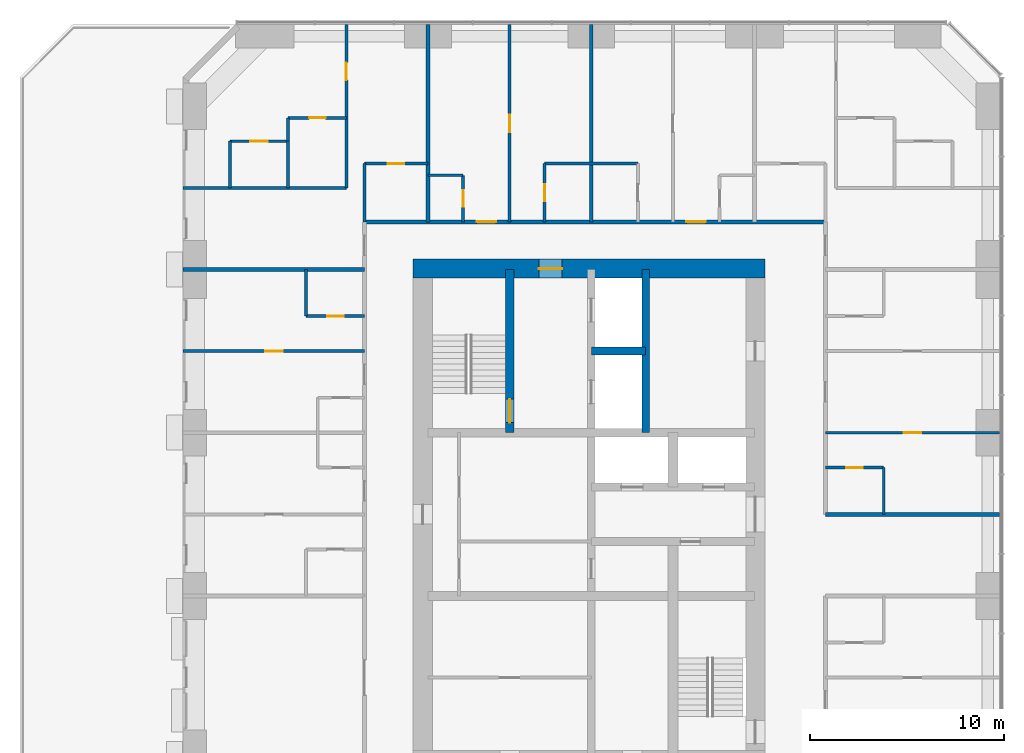
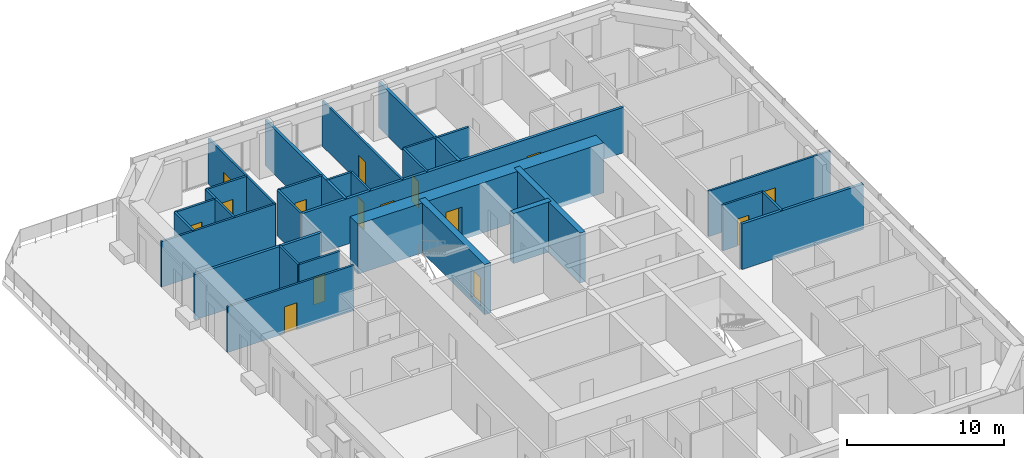
# One storey, part 10 of 13: 29 walls, 15 doors, 15 openings.
"""IFC4 building model written with IfcOpenShell, lengths in metres."""

import ifcopenshell
import ifcopenshell.guid

model = None  # the IFC model being written
_history = None  # IfcOwnerHistory: only IFC2X3 demands one
_inside = {}  # id of a spatial element -> (the spatial element, [elements in it])
_under = {}  # id of a project, library or spatial element -> (it, [spatial elements below it])
_declared = {}  # id of a project -> (the project, [libraries it declares])
_typed = {}  # id of a type object -> (the type object, [elements of that type])
_made_of = {}  # id of a material, layer set ... -> (it, [elements and type objects made of it])


def new_model(schema):
    """Start an empty IFC model of exactly this schema.

    Asked for "IFC4X3", IfcOpenShell would pick the latest addendum, in which some entities
    have other attributes; the version numbers below select the first issue.
    IFC2X3 requires an IfcOwnerHistory on every rooted entity: one is made here for all.
    """
    global model, _history
    if schema == "IFC4X3":
        model = ifcopenshell.file(schema_version=(4, 3, 0, 0))
    else:
        model = ifcopenshell.file(schema=schema)
    _inside.clear()
    _under.clear()
    _declared.clear()
    _typed.clear()
    _made_of.clear()
    _history = None
    if model.schema == "IFC2X3":
        org = make("IfcOrganization", Name="unknown")
        user = make(
            "IfcPersonAndOrganization",
            ThePerson=make("IfcPerson", FamilyName="unknown"),
            TheOrganization=org,
        )
        app = make(
            "IfcApplication",
            ApplicationDeveloper=org,
            Version="unknown",
            ApplicationFullName="unknown",
            ApplicationIdentifier="unknown",
        )
        _history = make(
            "IfcOwnerHistory",
            OwningUser=user,
            OwningApplication=app,
            ChangeAction="ADDED",
            CreationDate=0,
        )
    return model


def make(cls, **values):
    """One entity of the class cls with the attributes given. An attribute that is None is left unset."""
    return model.create_entity(
        cls, **{name: value for name, value in values.items() if value is not None}
    )


def rooted(cls, **values):
    """An entity with a GlobalId (a new one), such as an element, a storey or a relation."""
    return make(cls, GlobalId=ifcopenshell.guid.new(), OwnerHistory=_history, **values)


def si_unit(unit_type, name, prefix=None):
    """IfcSIUnit, for example si_unit("LENGTHUNIT", "METRE", prefix="MILLI")."""
    return make("IfcSIUnit", UnitType=unit_type, Prefix=prefix, Name=name)


def assignment(units):
    """IfcUnitAssignment: the units of a project."""
    return None if units is None else make("IfcUnitAssignment", Units=units)


def point(xyz):
    """IfcCartesianPoint."""
    return None if xyz is None else make("IfcCartesianPoint", Coordinates=xyz)


def direction(xyz):
    """IfcDirection."""
    return None if xyz is None else make("IfcDirection", DirectionRatios=xyz)


def frame(location, z_axis=None, x_axis=None):
    """IfcAxis2Placement3D, a coordinate frame: its origin and axes. An axis left out is left unset."""
    return make(
        "IfcAxis2Placement3D",
        Location=point(location),
        Axis=direction(z_axis),
        RefDirection=direction(x_axis),
    )


def frame_2d(location, x_axis=None):
    """IfcAxis2Placement2D, a coordinate frame in the plane: its origin and x axis."""
    return make(
        "IfcAxis2Placement2D", Location=point(location), RefDirection=direction(x_axis)
    )


def origin():
    """The frame at (0, 0, 0) with its axes left unset."""
    return frame((0.0, 0.0, 0.0))


def place(relative_to, where):
    """IfcLocalPlacement: puts the frame where relative to a parent placement (None: the world)."""
    return make(
        "IfcLocalPlacement", PlacementRelTo=relative_to, RelativePlacement=where
    )


def context(
    kind, dimensions, precision=None, world=None, true_north=None, identifier=None
):
    """IfcGeometricRepresentationContext, for example the 3D "Model" context."""
    return make(
        "IfcGeometricRepresentationContext",
        ContextIdentifier=identifier,
        ContextType=kind,
        CoordinateSpaceDimension=dimensions,
        Precision=precision,
        WorldCoordinateSystem=world,
        TrueNorth=true_north,
    )


def subcontext(parent, identifier, kind, view, scale=None):
    """IfcGeometricRepresentationSubContext, for example "Body" below "Model"."""
    return make(
        "IfcGeometricRepresentationSubContext",
        ContextIdentifier=identifier,
        ContextType=kind,
        ParentContext=parent,
        TargetScale=scale,
        TargetView=view,
    )


def project(units=None, contexts=None):
    """IfcProject with its units and contexts."""
    return rooted(
        "IfcProject",
        Name="project",
        RepresentationContexts=contexts,
        UnitsInContext=assignment(units),
    )


def spatial(cls, under=None, at=None, **own):
    """A site, building, storey or space (cls), placed at a placement, below another one or the project."""
    s = rooted(cls, ObjectPlacement=at, **own)
    if under is not None:
        _under.setdefault(under.id(), (under, []))[1].append(s)
    return s


def profile(cls, at=None, kind="AREA", **sizes):
    """A parametric profile (cls). Its sizes go by their IFC names, for example OverallWidth=200.0."""
    return make(cls, ProfileType=kind, Position=at, **sizes)


def rectangle(**sizes):
    """IfcRectangleProfileDef."""
    return profile("IfcRectangleProfileDef", **sizes)


def extrude(swept, where, along, depth):
    """IfcExtrudedAreaSolid: the profile swept, set in the frame where, extruded along a direction by depth."""
    return make(
        "IfcExtrudedAreaSolid",
        SweptArea=swept,
        Position=where,
        ExtrudedDirection=direction(along),
        Depth=depth,
    )


def shape(context_of_items, identifier, shape_type, items):
    """IfcShapeRepresentation: the items that make up one representation, for example the "Body"."""
    return make(
        "IfcShapeRepresentation",
        ContextOfItems=context_of_items,
        RepresentationIdentifier=identifier,
        RepresentationType=shape_type,
        Items=items,
    )


def material(Name=None, Category=None):
    """IfcMaterial."""
    return make("IfcMaterial", Name=Name, Category=Category)


def layer(
    of_material, thickness, ventilated=None, Name=None, Category=None, Priority=None
):
    """IfcMaterialLayer: one layer of a wall or slab, of a material (None: an air gap)."""
    return make(
        "IfcMaterialLayer",
        Material=of_material,
        LayerThickness=thickness,
        IsVentilated=ventilated,
        Name=Name,
        Category=Category,
        Priority=Priority,
    )


def layer_set(layers, Name=None):
    """IfcMaterialLayerSet."""
    return make("IfcMaterialLayerSet", MaterialLayers=layers, LayerSetName=Name)


def made_of(thing, what):
    """Note that an element or type object is made of a material, layer set ...; save() writes the relation."""
    if what is not None:
        _made_of.setdefault(what.id(), (what, []))[1].append(thing)
    return thing


def type_object(cls, material=None, **own):
    """A type object (cls), such as IfcWallType, which elements share."""
    return made_of(rooted(cls, **own), material)


def element(
    cls,
    number,
    at=None,
    inside=None,
    cuts=None,
    type_object=None,
    material=None,
    context=None,
    identifier="Body",
    shape_type=None,
    held_by="IfcProductDefinitionShape",
    body=None,
    shapes=None,
    **own,
):
    """One element of the class cls, such as IfcWall. Its Tag is "e" and its number.

    at: its placement. inside: the storey or other place that contains it. cuts: it is an
    opening in that element (IfcRelVoidsElement). A single representation is given by context,
    identifier, shape_type and body (its items); several are given by shapes. held_by: the class
    of the entity that holds the representations. save() writes the other relations.
    """
    e = rooted(cls, Tag="e%d" % number, ObjectPlacement=at, **own)
    if body is not None:
        shapes = [shape(context, identifier, shape_type, body)]
    if shapes is not None:
        e.Representation = make(held_by, Representations=shapes)
    if inside is not None:
        _inside.setdefault(inside.id(), (inside, []))[1].append(e)
    if cuts is not None:
        rooted(
            "IfcRelVoidsElement", RelatingBuildingElement=cuts, RelatedOpeningElement=e
        )
    if type_object is not None:
        _typed.setdefault(type_object.id(), (type_object, []))[1].append(e)
    return made_of(e, material)


def fill(opening, filler):
    """IfcRelFillsElement: the door or window that sits in an opening."""
    return rooted(
        "IfcRelFillsElement",
        RelatingOpeningElement=opening,
        RelatedBuildingElement=filler,
    )


def aggregate(whole, parts):
    """IfcRelAggregates: a whole, such as a stair, and the parts it consists of."""
    return rooted("IfcRelAggregates", RelatingObject=whole, RelatedObjects=parts)


def save(model, path):
    """Write the relations noted so far, then the file.

    IfcRelAggregates (storeys below a building ...), IfcRelContainedInSpatialStructure (elements
    in a storey), IfcRelDefinesByType, IfcRelAssociatesMaterial and IfcRelDeclares: one each for
    every whole, place, type object, material and project.
    """
    for whole, parts in _under.values():
        aggregate(whole, parts)
    for where, things in _inside.values():
        rooted(
            "IfcRelContainedInSpatialStructure",
            RelatedElements=things,
            RelatingStructure=where,
        )
    for kind, things in _typed.values():
        rooted("IfcRelDefinesByType", RelatedObjects=things, RelatingType=kind)
    for what, things in _made_of.values():
        rooted("IfcRelAssociatesMaterial", RelatedObjects=things, RelatingMaterial=what)
    for by, libraries in _declared.values():
        rooted("IfcRelDeclares", RelatingContext=by, RelatedDefinitions=libraries)
    model.write(path)


model = new_model("IFC4")

# Units and contexts
model_context = context("Model", 3, precision=1e-05, world=origin(), true_north=direction((0.0, 1.0)))
body_context = subcontext(model_context, "Body", "Model", "MODEL_VIEW")
ifc_project = project(units=[si_unit("LENGTHUNIT", "METRE"), si_unit("AREAUNIT", "SQUARE_METRE"), si_unit("VOLUMEUNIT", "CUBIC_METRE"), si_unit("PLANEANGLEUNIT", "RADIAN"), si_unit("MASSUNIT", "GRAM", prefix="KILO")], contexts=[model_context])

# Site, building, storey
site_placement = place(None, origin())
site = spatial("IfcSite", under=ifc_project, at=site_placement, CompositionType="ELEMENT")
building_placement = place(site_placement, origin())
building = spatial("IfcBuilding", under=site, at=building_placement, Name="Dunama Terrace Hotel", CompositionType="ELEMENT")
storey_placement = place(building_placement, frame((0.0, 0.0, 225.60009765625)))
storey = spatial("IfcBuildingStorey", under=building, at=storey_placement, Name="L58", CompositionType="ELEMENT", Elevation=225.60009765625)

# Walls
ifc_material_1 = material(Name="Gypsum board partition", Category="masonry")
ifc_layer_1 = layer(ifc_material_1, 0.14990234375)
ifc_layer_set_1 = layer_set([ifc_layer_1], Name="Bathroom partition 150")
wall_type_1 = type_object("IfcWallType", Name="Bathroom partition 150", PredefinedType="PARTITIONING", material=ifc_layer_set_1)
wall_1_placement = place(storey_placement, frame((18.0, 48.60009765625, 0.0), z_axis=(0.0, 0.0, 1.0), x_axis=(0.0, 1.0, 0.0)))
element("IfcWall", 1, at=wall_1_placement, inside=storey, type_object=wall_type_1, Name="Bathroom partition 150 L58", PredefinedType="PARTITIONING", context=body_context, shape_type="SweptSolid", body=[
    extrude(rectangle(XDim=1.199951171875, YDim=0.14990234375, at=frame_2d((0.60009765625, 0.0))), origin(), (0.0, 0.0, 1.0), 3.5498046875),
])
wall_2_placement = place(storey_placement, frame((18.925048828125, 39.60009765625, 0.0), z_axis=(0.0, 0.0, 1.0), x_axis=(0.0, 1.0, 0.0)))
element("IfcWall", 2, at=wall_2_placement, inside=storey, type_object=wall_type_1, Name="Bathroom partition 150 L58", PredefinedType="PARTITIONING", context=body_context, shape_type="SweptSolid", body=[
    extrude(rectangle(XDim=2.39990234375, YDim=0.14990234375, at=frame_2d((1.199951171875, 0.0))), origin(), (0.0, 0.0, 1.0), 3.5498046875),
])
wall_3_placement = place(storey_placement, frame((21.925048828125, 44.449951171875, 0.0), z_axis=(0.0, 0.0, 1.0), x_axis=(0.0, 1.0, 0.0)))
element("IfcWall", 3, at=wall_3_placement, inside=storey, type_object=wall_type_1, Name="Bathroom partition 150 L58", PredefinedType="PARTITIONING", context=body_context, shape_type="SweptSolid", body=[
    extrude(rectangle(XDim=3.0, YDim=0.14990234375, at=frame_2d((1.5, 0.0))), origin(), (0.0, 0.0, 1.0), 3.5498046875),
])

# Wall, opening, door
wall_4_placement = place(storey_placement, frame((27.0, 44.449951171875, 0.0), z_axis=(0.0, 0.0, 1.0), x_axis=(0.0, 1.0, 0.0)))
wall_4 = element("IfcWall", 4, at=wall_4_placement, inside=storey, type_object=wall_type_1, Name="Bathroom partition 150 L58", PredefinedType="PARTITIONING", context=body_context, shape_type="SweptSolid", body=[
    extrude(rectangle(XDim=2.400146484375, YDim=0.14990234375, at=frame_2d((1.2001953125, 0.0))), origin(), (0.0, 0.0, 1.0), 3.5498046875),
])
opening_1_placement = place(wall_4_placement, frame((0.77490234375, 0.0, 0.0)))
opening_1 = element("IfcOpeningElement", 5, at=opening_1_placement, cuts=wall_4, Name="Opening L58-034", PredefinedType="OPENING", context=body_context, shape_type="SweptSolid", body=[
    extrude(rectangle(XDim=0.85009765625, YDim=2.10009765625, at=frame_2d((0.425048828125, 1.050048828125))), frame((0.0, 0.0849609375, 0.0), z_axis=(0.0, -1.0, 0.0), x_axis=(1.0, 0.0, 0.0)), (0.0, 0.0, 1.0), 0.169921875),
])
ifc_material_2 = material(Name="Timber door with steel frame", Category="steel")
door_type_1 = type_object("IfcDoorType", Name="Bathroom door 850", OperationType="SINGLE_SWING_LEFT", PredefinedType="DOOR", material=ifc_material_2)
door_1_placement = place(opening_1_placement, origin())
door_1 = element("IfcDoor", 6, at=door_1_placement, inside=storey, type_object=door_type_1, Name="Door to powder room L58-034, type D2", OperationType="SINGLE_SWING_LEFT", OverallHeight=2.10009765625, OverallWidth=0.85009765625, PredefinedType="DOOR", context=body_context, shape_type="SweptSolid", body=[
    extrude(rectangle(XDim=0.85009765625, YDim=2.10009765625, at=frame_2d((0.425048828125, 1.050048828125))), frame((0.0, 0.02490234375, 0.0), z_axis=(0.0, -1.0, 0.0), x_axis=(1.0, 0.0, 0.0)), (0.0, 0.0, 1.0), 0.050048828125),
])
fill(opening_1, door_1)

wall_5_placement = place(storey_placement, frame((31.199951171875, 44.449951171875, 0.0), z_axis=(0.0, 0.0, 1.0), x_axis=(0.0, 1.0, 0.0)))
wall_5 = element("IfcWall", 7, at=wall_5_placement, inside=storey, type_object=wall_type_1, Name="Bathroom partition 150 L58", PredefinedType="PARTITIONING", context=body_context, shape_type="SweptSolid", body=[
    extrude(rectangle(XDim=3.0, YDim=0.14990234375, at=frame_2d((1.5, 0.0))), origin(), (0.0, 0.0, 1.0), 3.5498046875),
])
opening_2_placement = place(wall_5_placement, frame((1.074951171875, 0.0, 0.0)))
opening_2 = element("IfcOpeningElement", 8, at=opening_2_placement, cuts=wall_5, Name="Opening L58-036", PredefinedType="OPENING", context=body_context, shape_type="SweptSolid", body=[
    extrude(rectangle(XDim=0.85009765625, YDim=2.10009765625, at=frame_2d((0.425048828125, 1.050048828125))), frame((0.0, 0.0849609375, 0.0), z_axis=(0.0, -1.0, 0.0), x_axis=(1.0, 0.0, 0.0)), (0.0, 0.0, 1.0), 0.169921875),
])
door_2_placement = place(opening_2_placement, frame((0.85009765625, 0.0, 0.0), z_axis=(0.0, 0.0, 1.0), x_axis=(-1.0, 0.0, 0.0)))
door_2 = element("IfcDoor", 9, at=door_2_placement, inside=storey, type_object=door_type_1, Name="Door to en-suite bathroom L58-036, type D2", OperationType="SINGLE_SWING_RIGHT", OverallHeight=2.10009765625, OverallWidth=0.85009765625, PredefinedType="DOOR", context=body_context, shape_type="SweptSolid", body=[
    extrude(rectangle(XDim=0.85009765625, YDim=2.10009765625, at=frame_2d((0.425048828125, 1.050048828125))), frame((0.0, 0.025146484375, 0.0), z_axis=(0.0, -1.0, 0.0), x_axis=(1.0, 0.0, 0.0)), (0.0, 0.0, 1.0), 0.050048828125),
])
fill(opening_2, door_2)

# Wall
wall_6_placement = place(storey_placement, frame((48.64990234375, 29.39990234375, 0.0), z_axis=(0.0, 0.0, 1.0), x_axis=(0.0, 1.0, 0.0)))
element("IfcWall", 10, at=wall_6_placement, inside=storey, type_object=wall_type_1, Name="Bathroom partition 150 L58", PredefinedType="PARTITIONING", context=body_context, shape_type="SweptSolid", body=[
    extrude(rectangle(XDim=2.400146484375, YDim=0.14990234375, at=frame_2d((1.2001953125, 0.0))), origin(), (0.0, 0.0, 1.0), 3.5498046875),
])

# Wall, opening, door
wall_7_placement = place(storey_placement, frame((45.64990234375, 31.800048828125, 0.0), z_axis=(0.0, 0.0, 1.0), x_axis=(1.0, 0.0, 0.0)))
wall_7 = element("IfcWall", 11, at=wall_7_placement, inside=storey, type_object=wall_type_1, Name="Bathroom partition 150 L58", PredefinedType="PARTITIONING", context=body_context, shape_type="SweptSolid", body=[
    extrude(rectangle(XDim=3.0, YDim=0.14990234375, at=frame_2d((1.5, 0.0))), origin(), (0.0, 0.0, 1.0), 3.5498046875),
])
opening_3_placement = place(wall_7_placement, frame((1.074951171875, 0.0, 0.0)))
opening_3 = element("IfcOpeningElement", 12, at=opening_3_placement, cuts=wall_7, Name="Opening L58-030", PredefinedType="OPENING", context=body_context, shape_type="SweptSolid", body=[
    extrude(rectangle(XDim=0.85009765625, YDim=2.10009765625, at=frame_2d((0.425048828125, 1.050048828125))), frame((0.0, 0.0849609375, 0.0), z_axis=(0.0, -1.0, 0.0), x_axis=(1.0, 0.0, 0.0)), (0.0, 0.0, 1.0), 0.169921875),
])
door_3_placement = place(opening_3_placement, frame((0.85009765625, 0.0, 0.0), z_axis=(0.0, 0.0, 1.0), x_axis=(-1.0, 0.0, 0.0)))
door_3 = element("IfcDoor", 13, at=door_3_placement, inside=storey, type_object=door_type_1, Name="Door to en-suite bathroom L58-030, type D2", OperationType="SINGLE_SWING_RIGHT", OverallHeight=2.10009765625, OverallWidth=0.85009765625, PredefinedType="DOOR", context=body_context, shape_type="SweptSolid", body=[
    extrude(rectangle(XDim=0.85009765625, YDim=2.10009765625, at=frame_2d((0.425048828125, 1.050048828125))), frame((0.0, 0.025146484375, 0.0), z_axis=(0.0, -1.0, 0.0), x_axis=(1.0, 0.0, 0.0)), (0.0, 0.0, 1.0), 0.050048828125),
])
fill(opening_3, door_3)

wall_8_placement = place(storey_placement, frame((18.925048828125, 39.60009765625, 0.0), z_axis=(0.0, 0.0, 1.0), x_axis=(1.0, 0.0, 0.0)))
wall_8 = element("IfcWall", 14, at=wall_8_placement, inside=storey, type_object=wall_type_1, Name="Bathroom partition 150 L58", PredefinedType="PARTITIONING", context=body_context, shape_type="SweptSolid", body=[
    extrude(rectangle(XDim=3.0, YDim=0.14990234375, at=frame_2d((1.5, 0.0))), origin(), (0.0, 0.0, 1.0), 3.5498046875),
])
opening_4_placement = place(wall_8_placement, frame((1.074951171875, 0.0, 0.0)))
opening_4 = element("IfcOpeningElement", 15, at=opening_4_placement, cuts=wall_8, Name="Opening L58-049", PredefinedType="OPENING", context=body_context, shape_type="SweptSolid", body=[
    extrude(rectangle(XDim=0.85009765625, YDim=2.10009765625, at=frame_2d((0.425048828125, 1.050048828125))), frame((0.0, 0.0849609375, 0.0), z_axis=(0.0, -1.0, 0.0), x_axis=(1.0, 0.0, 0.0)), (0.0, 0.0, 1.0), 0.169921875),
])
door_4_placement = place(opening_4_placement, origin())
door_4 = element("IfcDoor", 16, at=door_4_placement, inside=storey, type_object=door_type_1, Name="Door to en-suite bathroom L58-049, type D2", OperationType="SINGLE_SWING_RIGHT", OverallHeight=2.10009765625, OverallWidth=0.85009765625, PredefinedType="DOOR", context=body_context, shape_type="SweptSolid", body=[
    extrude(rectangle(XDim=0.85009765625, YDim=2.10009765625, at=frame_2d((0.425048828125, 1.050048828125))), frame((0.0, 0.02490234375, 0.0), z_axis=(0.0, -1.0, 0.0), x_axis=(1.0, 0.0, 0.0)), (0.0, 0.0, 1.0), 0.050048828125),
])
fill(opening_4, door_4)

# Wall
wall_9_placement = place(storey_placement, frame((25.199951171875, 46.85009765625, 0.0), z_axis=(0.0, 0.0, 1.0), x_axis=(1.0, 0.0, 0.0)))
element("IfcWall", 17, at=wall_9_placement, inside=storey, type_object=wall_type_1, Name="Bathroom partition 150 L58", PredefinedType="PARTITIONING", context=body_context, shape_type="SweptSolid", body=[
    extrude(rectangle(XDim=1.800048828125, YDim=0.14990234375, at=frame_2d((0.89990234375, 0.0))), origin(), (0.0, 0.0, 1.0), 3.5498046875),
])

# Wall, opening, door
wall_10_placement = place(storey_placement, frame((21.925048828125, 47.449951171875, 0.0), z_axis=(0.0, 0.0, 1.0), x_axis=(1.0, 0.0, 0.0)))
wall_10 = element("IfcWall", 18, at=wall_10_placement, inside=storey, type_object=wall_type_1, Name="Bathroom partition 150 L58", PredefinedType="PARTITIONING", context=body_context, shape_type="SweptSolid", body=[
    extrude(rectangle(XDim=3.27490234375, YDim=0.14990234375, at=frame_2d((1.637451171875, 0.0))), origin(), (0.0, 0.0, 1.0), 3.5498046875),
])
opening_5_placement = place(wall_10_placement, frame((1.2119140625, 0.0, 0.0)))
opening_5 = element("IfcOpeningElement", 19, at=opening_5_placement, cuts=wall_10, Name="Opening L58-066", PredefinedType="OPENING", context=body_context, shape_type="SweptSolid", body=[
    extrude(rectangle(XDim=0.85009765625, YDim=2.10009765625, at=frame_2d((0.425048828125, 1.050048828125))), frame((0.0, 0.0849609375, 0.0), z_axis=(0.0, -1.0, 0.0), x_axis=(1.0, 0.0, 0.0)), (0.0, 0.0, 1.0), 0.169921875),
])
door_5_placement = place(opening_5_placement, frame((0.85009765625, 0.0, 0.0), z_axis=(0.0, 0.0, 1.0), x_axis=(-1.0, 0.0, 0.0)))
door_5 = element("IfcDoor", 20, at=door_5_placement, inside=storey, type_object=door_type_1, Name="Door to powder room L58-066, type D2", OperationType="SINGLE_SWING_LEFT", OverallHeight=2.10009765625, OverallWidth=0.85009765625, PredefinedType="DOOR", context=body_context, shape_type="SweptSolid", body=[
    extrude(rectangle(XDim=0.85009765625, YDim=2.10009765625, at=frame_2d((0.425048828125, 1.050048828125))), frame((0.0, 0.025146484375, 0.0), z_axis=(0.0, -1.0, 0.0), x_axis=(1.0, 0.0, 0.0)), (0.0, 0.0, 1.0), 0.050048828125),
])
fill(opening_5, door_5)

# Wall
wall_11_placement = place(storey_placement, frame((31.199951171875, 47.449951171875, 0.0), z_axis=(0.0, 0.0, 1.0), x_axis=(1.0, 0.0, 0.0)))
element("IfcWall", 21, at=wall_11_placement, inside=storey, type_object=wall_type_1, Name="Bathroom partition 150 L58", PredefinedType="PARTITIONING", context=body_context, shape_type="SweptSolid", body=[
    extrude(rectangle(XDim=4.800048828125, YDim=0.14990234375, at=frame_2d((2.39990234375, 0.0))), origin(), (0.0, 0.0, 1.0), 3.5498046875),
])

# Wall, opening, door
wall_12_placement = place(storey_placement, frame((18.0, 49.800048828125, 0.0), z_axis=(0.0, 0.0, 1.0), x_axis=(1.0, 0.0, 0.0)))
wall_12 = element("IfcWall", 22, at=wall_12_placement, inside=storey, type_object=wall_type_1, Name="Bathroom partition 150 L58", PredefinedType="PARTITIONING", context=body_context, shape_type="SweptSolid", body=[
    extrude(rectangle(XDim=3.0, YDim=0.14990234375, at=frame_2d((1.5, 0.0))), origin(), (0.0, 0.0, 1.0), 3.5498046875),
])
opening_6_placement = place(wall_12_placement, frame((1.074951171875, 0.0, 0.0)))
opening_6 = element("IfcOpeningElement", 23, at=opening_6_placement, cuts=wall_12, Name="Opening L58-068", PredefinedType="OPENING", context=body_context, shape_type="SweptSolid", body=[
    extrude(rectangle(XDim=0.85009765625, YDim=2.10009765625, at=frame_2d((0.425048828125, 1.050048828125))), frame((0.0, 0.0849609375, 0.0), z_axis=(0.0, -1.0, 0.0), x_axis=(1.0, 0.0, 0.0)), (0.0, 0.0, 1.0), 0.169921875),
])
door_6_placement = place(opening_6_placement, frame((0.85009765625, 0.0, 0.0), z_axis=(0.0, 0.0, 1.0), x_axis=(-1.0, 0.0, 0.0)))
door_6 = element("IfcDoor", 24, at=door_6_placement, inside=storey, type_object=door_type_1, Name="Door to en-suite bathroom L58-068, type D2", OperationType="SINGLE_SWING_RIGHT", OverallHeight=2.10009765625, OverallWidth=0.85009765625, PredefinedType="DOOR", context=body_context, shape_type="SweptSolid", body=[
    extrude(rectangle(XDim=0.85009765625, YDim=2.10009765625, at=frame_2d((0.425048828125, 1.050048828125))), frame((0.0, 0.025146484375, 0.0), z_axis=(0.0, -1.0, 0.0), x_axis=(1.0, 0.0, 0.0)), (0.0, 0.0, 1.0), 0.050048828125),
])
fill(opening_6, door_6)

# Walls
ifc_material_3 = material(Name="Concrete C50/60", Category="concrete")
ifc_layer_2 = layer(ifc_material_3, 0.39990234375)
ifc_layer_set_2 = layer_set([ifc_layer_2], Name="Core inner wall 400")
wall_type_2 = type_object("IfcWallType", Name="Core inner wall 400", PredefinedType="SHEAR", material=ifc_layer_set_2)
wall_13_placement = place(storey_placement, frame((36.39990234375, 33.60009765625, -0.35009765625), z_axis=(0.0, 0.0, 1.0), x_axis=(0.0, 1.0, 0.0)))
element("IfcWall", 25, at=wall_13_placement, inside=storey, type_object=wall_type_2, Name="Core inner wall 400 L58", PredefinedType="SHEAR", context=body_context, shape_type="SweptSolid", body=[
    extrude(rectangle(XDim=8.39990234375, YDim=0.39990234375, at=frame_2d((4.199951171875, 0.0))), origin(), (0.0, 0.0, 1.0), 3.89990234375),
])
wall_14_placement = place(storey_placement, frame((33.60009765625, 37.800048828125, -0.35009765625), z_axis=(0.0, 0.0, 1.0), x_axis=(1.0, 0.0, 0.0)))
element("IfcWall", 26, at=wall_14_placement, inside=storey, type_object=wall_type_2, Name="Core inner wall 400 L58", PredefinedType="SHEAR", context=body_context, shape_type="SweptSolid", body=[
    extrude(rectangle(XDim=2.7998046875, YDim=0.39990234375, at=frame_2d((1.39990234375, 0.0))), origin(), (0.0, 0.0, 1.0), 3.89990234375),
])

# Wall, opening, door
ifc_material_4 = material(Name="Concrete C50/60", Category="concrete")
ifc_layer_3 = layer(ifc_material_4, 0.449951171875)
ifc_layer_set_3 = layer_set([ifc_layer_3], Name="Core inner wall 450")
wall_type_3 = type_object("IfcWallType", Name="Core inner wall 450", PredefinedType="SHEAR", material=ifc_layer_set_3)
wall_15_placement = place(storey_placement, frame((29.39990234375, 33.60009765625, -0.35009765625), z_axis=(0.0, 0.0, 1.0), x_axis=(0.0, 1.0, 0.0)))
wall_15 = element("IfcWall", 27, at=wall_15_placement, inside=storey, type_object=wall_type_3, Name="Core inner wall 450 L58", PredefinedType="SHEAR", context=body_context, shape_type="SweptSolid", body=[
    extrude(rectangle(XDim=8.39990234375, YDim=0.449951171875, at=frame_2d((4.199951171875, 0.0))), origin(), (0.0, 0.0, 1.0), 3.89990234375),
])
opening_7_placement = place(wall_15_placement, frame((0.52490234375, 0.0, 0.35009765625)))
opening_7 = element("IfcOpeningElement", 28, at=opening_7_placement, cuts=wall_15, Name="Opening L58-010", PredefinedType="OPENING", context=body_context, shape_type="SweptSolid", body=[
    extrude(rectangle(XDim=1.199951171875, YDim=2.199951171875, at=frame_2d((0.60009765625, 1.10009765625))), frame((0.0, 0.23486328125, 0.0), z_axis=(0.0, -1.0, 0.0), x_axis=(1.0, 0.0, 0.0)), (0.0, 0.0, 1.0), 0.469970703125),
])
ifc_material_5 = material(Name="Timber door with steel frame", Category="steel")
door_type_2 = type_object("IfcDoorType", Name="Stair door 1200", OperationType="SINGLE_SWING_LEFT", PredefinedType="DOOR", material=ifc_material_5)
door_7_placement = place(opening_7_placement, origin())
door_7 = element("IfcDoor", 29, at=door_7_placement, inside=storey, type_object=door_type_2, Name="Stair door ST1 L58-010, type D5", OperationType="SINGLE_SWING_LEFT", OverallHeight=2.199951171875, OverallWidth=1.199951171875, PredefinedType="DOOR", context=body_context, shape_type="SweptSolid", body=[
    extrude(rectangle(XDim=1.199951171875, YDim=2.199951171875, at=frame_2d((0.60009765625, 1.10009765625))), frame((0.0, 0.02490234375, 0.0), z_axis=(0.0, -1.0, 0.0), x_axis=(1.0, 0.0, 0.0)), (0.0, 0.0, 1.0), 0.050048828125),
])
fill(opening_7, door_7)

ifc_material_6 = material(Name="Concrete C60/75", Category="concrete")
ifc_layer_4 = layer(ifc_material_6, 1.0)
ifc_layer_set_4 = layer_set([ifc_layer_4], Name="Core wall 1000")
wall_type_4 = type_object("IfcWallType", Name="Core wall 1000", PredefinedType="SHEAR", material=ifc_layer_set_4)
wall_16_placement = place(storey_placement, frame((42.550048828125, 42.050048828125, -0.35009765625), z_axis=(0.0, 0.0, 1.0), x_axis=(-1.0, 0.0, 0.0)))
wall_16 = element("IfcWall", 30, at=wall_16_placement, inside=storey, type_object=wall_type_4, Name="Core wall north L58", PredefinedType="SHEAR", context=body_context, shape_type="SweptSolid", body=[
    extrude(rectangle(XDim=18.125, YDim=1.0, at=frame_2d((9.0625, 0.0))), origin(), (0.0, 0.0, 1.0), 3.89990234375),
])
opening_8_placement = place(wall_16_placement, frame((10.449951171875, 0.0, 0.35009765625)))
opening_8 = element("IfcOpeningElement", 31, at=opening_8_placement, cuts=wall_16, Name="Opening L58-076", PredefinedType="OPENING", context=body_context, shape_type="SweptSolid", body=[
    extrude(rectangle(XDim=1.199951171875, YDim=2.199951171875, at=frame_2d((0.60009765625, 1.10009765625))), frame((0.0, 0.510009765625, 0.0), z_axis=(0.0, -1.0, 0.0), x_axis=(1.0, 0.0, 0.0)), (0.0, 0.0, 1.0), 1.02001953125),
])
ifc_material_7 = material(Name="Timber door with steel frame", Category="steel")
door_type_3 = type_object("IfcDoorType", Name="Firefighting lobby door 1200", OperationType="SINGLE_SWING_LEFT", PredefinedType="DOOR", material=ifc_material_7)
door_8_placement = place(opening_8_placement, origin())
door_8 = element("IfcDoor", 32, at=door_8_placement, inside=storey, type_object=door_type_3, Name="Door to firefighting lobby L58-076, type D4", OperationType="SINGLE_SWING_RIGHT", OverallHeight=2.199951171875, OverallWidth=1.199951171875, PredefinedType="DOOR", context=body_context, shape_type="SweptSolid", body=[
    extrude(rectangle(XDim=1.199951171875, YDim=2.199951171875, at=frame_2d((0.60009765625, 1.10009765625))), frame((0.0, 0.02490234375, 0.0), z_axis=(0.0, -1.0, 0.0), x_axis=(1.0, 0.0, 0.0)), (0.0, 0.0, 1.0), 0.050048828125),
])
fill(opening_8, door_8)

# Wall
ifc_material_8 = material(Name="Concrete blockwork", Category="masonry")
ifc_layer_5 = layer(ifc_material_8, 0.199951171875)
ifc_layer_set_5 = layer_set([ifc_layer_5], Name="Corridor partition 200")
wall_type_5 = type_object("IfcWallType", Name="Corridor partition 200", PredefinedType="PARTITIONING", material=ifc_layer_set_5)
wall_17_placement = place(storey_placement, frame((45.64990234375, 29.39990234375, 0.0), z_axis=(0.0, 0.0, 1.0), x_axis=(1.0, 0.0, 0.0)))
element("IfcWall", 33, at=wall_17_placement, inside=storey, type_object=wall_type_5, Name="Corridor partition 200 L58", PredefinedType="PARTITIONING", context=body_context, shape_type="SweptSolid", body=[
    extrude(rectangle(XDim=8.968017578125, YDim=0.199951171875, at=frame_2d((4.48388671875, 0.0))), origin(), (0.0, 0.0, 1.0), 3.5498046875),
])

# Wall, openings, doors
wall_18_placement = place(storey_placement, frame((21.925048828125, 44.449951171875, 0.0), z_axis=(0.0, 0.0, 1.0), x_axis=(1.0, 0.0, 0.0)))
wall_18 = element("IfcWall", 34, at=wall_18_placement, inside=storey, type_object=wall_type_5, Name="Corridor partition 200 L58", PredefinedType="PARTITIONING", context=body_context, shape_type="SweptSolid", body=[
    extrude(rectangle(XDim=23.724853515625, YDim=0.199951171875, at=frame_2d((11.8623046875, 0.0))), origin(), (0.0, 0.0, 1.0), 3.5498046875),
])
opening_9_placement = place(wall_18_placement, frame((5.77490234375, 0.0, 0.0)))
opening_9 = element("IfcOpeningElement", 35, at=opening_9_placement, cuts=wall_18, Name="Opening L58-033", PredefinedType="OPENING", context=body_context, shape_type="SweptSolid", body=[
    extrude(rectangle(XDim=1.0, YDim=2.199951171875, at=frame_2d((0.5, 1.10009765625))), frame((0.0, 0.10986328125, 0.0), z_axis=(0.0, -1.0, 0.0), x_axis=(1.0, 0.0, 0.0)), (0.0, 0.0, 1.0), 0.219970703125),
])
opening_10_placement = place(wall_18_placement, frame((16.574951171875, 0.0, 0.0)))
opening_10 = element("IfcOpeningElement", 36, at=opening_10_placement, cuts=wall_18, Name="Opening L58-037", PredefinedType="OPENING", context=body_context, shape_type="SweptSolid", body=[
    extrude(rectangle(XDim=1.0, YDim=2.199951171875, at=frame_2d((0.5, 1.10009765625))), frame((0.0, 0.10986328125, 0.0), z_axis=(0.0, -1.0, 0.0), x_axis=(1.0, 0.0, 0.0)), (0.0, 0.0, 1.0), 0.219970703125),
])
ifc_material_9 = material(Name="Timber door with steel frame", Category="steel")
door_type_4 = type_object("IfcDoorType", Name="Guest room door 1000", OperationType="SINGLE_SWING_LEFT", PredefinedType="DOOR", material=ifc_material_9)
door_9_placement = place(opening_9_placement, origin())
door_9 = element("IfcDoor", 37, at=door_9_placement, inside=storey, type_object=door_type_4, Name="Door to one-bedroom suite living room L58-033, type D1", OperationType="SINGLE_SWING_RIGHT", OverallHeight=2.199951171875, OverallWidth=1.0, PredefinedType="DOOR", context=body_context, shape_type="SweptSolid", body=[
    extrude(rectangle(XDim=1.0, YDim=2.199951171875, at=frame_2d((0.5, 1.10009765625))), frame((0.0, 0.02490234375, 0.0), z_axis=(0.0, -1.0, 0.0), x_axis=(1.0, 0.0, 0.0)), (0.0, 0.0, 1.0), 0.050048828125),
])
fill(opening_9, door_9)
door_10_placement = place(opening_10_placement, origin())
door_10 = element("IfcDoor", 38, at=door_10_placement, inside=storey, type_object=door_type_4, Name="Door to one-bedroom suite living room L58-037, type D1", OperationType="SINGLE_SWING_RIGHT", OverallHeight=2.199951171875, OverallWidth=1.0, PredefinedType="DOOR", context=body_context, shape_type="SweptSolid", body=[
    extrude(rectangle(XDim=1.0, YDim=2.199951171875, at=frame_2d((0.5, 1.10009765625))), frame((0.0, 0.02490234375, 0.0), z_axis=(0.0, -1.0, 0.0), x_axis=(1.0, 0.0, 0.0)), (0.0, 0.0, 1.0), 0.050048828125),
])
fill(opening_10, door_10)

# Walls
ifc_material_10 = material(Name="Concrete blockwork", Category="masonry")
ifc_layer_6 = layer(ifc_material_10, 0.199951171875)
ifc_layer_set_6 = layer_set([ifc_layer_6], Name="Party wall 200")
wall_type_6 = type_object("IfcWallType", Name="Party wall 200", PredefinedType="PARTITIONING", material=ifc_layer_set_6)
for number, where, z_axis, x_axis, name in (
    (39, (25.199951171875, 44.449951171875, 0.0), (0.0, 0.0, 1.0), (0.0, 1.0, 0.0), "Party wall 200 L58"),
    (40, (33.60009765625, 44.449951171875, 0.0), (0.0, 0.0, 1.0), (0.0, 1.0, 0.0), "Party wall 200 L58"),
):
    element("IfcWall", number, at=place(storey_placement, frame(where, z_axis=z_axis, x_axis=x_axis)), inside=storey, type_object=wall_type_6, Name=name, PredefinedType="PARTITIONING", context=body_context, shape_type="SweptSolid", body=[
        extrude(rectangle(XDim=10.16796875, YDim=0.199951171875, at=frame_2d((5.083984375, 0.0))), origin(), (0.0, 0.0, 1.0), 3.5498046875),
    ])
wall_19_placement = place(storey_placement, frame((12.60009765625, 42.0, 0.0), z_axis=(0.0, 0.0, 1.0), x_axis=(1.0, 0.0, 0.0)))
element("IfcWall", 41, at=wall_19_placement, inside=storey, type_object=wall_type_6, Name="Party wall 200 L58", PredefinedType="PARTITIONING", context=body_context, shape_type="SweptSolid", body=[
    extrude(rectangle(XDim=9.324951171875, YDim=0.199951171875, at=frame_2d((4.66259765625, 0.0))), origin(), (0.0, 0.0, 1.0), 3.5498046875),
])
ifc_material_11 = material(Name="Gypsum board partition", Category="masonry")
ifc_layer_7 = layer(ifc_material_11, 0.14990234375)
ifc_layer_set_7 = layer_set([ifc_layer_7], Name="Room partition 150")
wall_type_7 = type_object("IfcWallType", Name="Room partition 150", PredefinedType="PARTITIONING", material=ifc_layer_set_7)
for number, where, z_axis, x_axis, name in (
    (42, (15.0, 46.199951171875, 0.0), (0.0, 0.0, 1.0), (0.0, 1.0, 0.0), "Room partition 150 L58"),
    (43, (18.0, 46.199951171875, 0.0), (0.0, 0.0, 1.0), (0.0, 1.0, 0.0), "Room partition 150 L58"),
):
    element("IfcWall", number, at=place(storey_placement, frame(where, z_axis=z_axis, x_axis=x_axis)), inside=storey, type_object=wall_type_7, Name=name, PredefinedType="PARTITIONING", context=body_context, shape_type="SweptSolid", body=[
        extrude(rectangle(XDim=2.400146484375, YDim=0.14990234375, at=frame_2d((1.2001953125, 0.0))), origin(), (0.0, 0.0, 1.0), 3.5498046875),
    ])

# Wall, opening, door
wall_20_placement = place(storey_placement, frame((21.0, 46.199951171875, 0.0), z_axis=(0.0, 0.0, 1.0), x_axis=(0.0, 1.0, 0.0)))
wall_20 = element("IfcWall", 44, at=wall_20_placement, inside=storey, type_object=wall_type_7, Name="Room partition 150 L58", PredefinedType="PARTITIONING", context=body_context, shape_type="SweptSolid", body=[
    extrude(rectangle(XDim=8.41796875, YDim=0.14990234375, at=frame_2d((4.208984375, 0.0))), origin(), (0.0, 0.0, 1.0), 3.5498046875),
])
opening_11_placement = place(wall_20_placement, frame((5.550048828125, 0.0, 0.0)))
opening_11 = element("IfcOpeningElement", 45, at=opening_11_placement, cuts=wall_20, Name="Opening L58-067", PredefinedType="OPENING", context=body_context, shape_type="SweptSolid", body=[
    extrude(rectangle(XDim=0.89990234375, YDim=2.10009765625, at=frame_2d((0.449951171875, 1.050048828125))), frame((0.0, 0.0849609375, 0.0), z_axis=(0.0, -1.0, 0.0), x_axis=(1.0, 0.0, 0.0)), (0.0, 0.0, 1.0), 0.169921875),
])
ifc_material_12 = material(Name="Timber door with steel frame", Category="steel")
door_type_5 = type_object("IfcDoorType", Name="Suite internal door 900", OperationType="SINGLE_SWING_LEFT", PredefinedType="DOOR", material=ifc_material_12)
door_11_placement = place(opening_11_placement, origin())
door_11 = element("IfcDoor", 46, at=door_11_placement, inside=storey, type_object=door_type_5, Name="Door to grand corner suite bedroom L58-067, type D16", OperationType="SINGLE_SWING_RIGHT", OverallHeight=2.10009765625, OverallWidth=0.89990234375, PredefinedType="DOOR", context=body_context, shape_type="SweptSolid", body=[
    extrude(rectangle(XDim=0.89990234375, YDim=2.10009765625, at=frame_2d((0.449951171875, 1.050048828125))), frame((0.0, 0.02490234375, 0.0), z_axis=(0.0, -1.0, 0.0), x_axis=(1.0, 0.0, 0.0)), (0.0, 0.0, 1.0), 0.050048828125),
])
fill(opening_11, door_11)

wall_21_placement = place(storey_placement, frame((29.39990234375, 44.449951171875, 0.0), z_axis=(0.0, 0.0, 1.0), x_axis=(0.0, 1.0, 0.0)))
wall_21 = element("IfcWall", 47, at=wall_21_placement, inside=storey, type_object=wall_type_7, Name="Room partition 150 L58", PredefinedType="PARTITIONING", context=body_context, shape_type="SweptSolid", body=[
    extrude(rectangle(XDim=10.16796875, YDim=0.14990234375, at=frame_2d((5.083984375, 0.0))), origin(), (0.0, 0.0, 1.0), 3.5498046875),
])
opening_12_placement = place(wall_21_placement, frame((4.625, 0.0, 0.0)))
opening_12 = element("IfcOpeningElement", 48, at=opening_12_placement, cuts=wall_21, Name="Opening L58-035", PredefinedType="OPENING", context=body_context, shape_type="SweptSolid", body=[
    extrude(rectangle(XDim=0.89990234375, YDim=2.10009765625, at=frame_2d((0.449951171875, 1.050048828125))), frame((0.0, 0.0849609375, 0.0), z_axis=(0.0, -1.0, 0.0), x_axis=(1.0, 0.0, 0.0)), (0.0, 0.0, 1.0), 0.169921875),
])
door_12_placement = place(opening_12_placement, frame((0.89990234375, 0.0, 0.0), z_axis=(0.0, 0.0, 1.0), x_axis=(-1.0, 0.0, 0.0)))
door_12 = element("IfcDoor", 49, at=door_12_placement, inside=storey, type_object=door_type_5, Name="Door to one-bedroom suite bedroom L58-035, type D16", OperationType="SINGLE_SWING_RIGHT", OverallHeight=2.10009765625, OverallWidth=0.89990234375, PredefinedType="DOOR", context=body_context, shape_type="SweptSolid", body=[
    extrude(rectangle(XDim=0.89990234375, YDim=2.10009765625, at=frame_2d((0.449951171875, 1.050048828125))), frame((0.0, 0.025146484375, 0.0), z_axis=(0.0, -1.0, 0.0), x_axis=(1.0, 0.0, 0.0)), (0.0, 0.0, 1.0), 0.050048828125),
])
fill(opening_12, door_12)

wall_22_placement = place(storey_placement, frame((45.64990234375, 33.60009765625, 0.0), z_axis=(0.0, 0.0, 1.0), x_axis=(1.0, 0.0, 0.0)))
wall_22 = element("IfcWall", 50, at=wall_22_placement, inside=storey, type_object=wall_type_7, Name="Room partition 150 L58", PredefinedType="PARTITIONING", context=body_context, shape_type="SweptSolid", body=[
    extrude(rectangle(XDim=8.968017578125, YDim=0.14990234375, at=frame_2d((4.48388671875, 0.0))), origin(), (0.0, 0.0, 1.0), 3.5498046875),
])
opening_13_placement = place(wall_22_placement, frame((4.02490234375, 0.0, 0.0)))
opening_13 = element("IfcOpeningElement", 51, at=opening_13_placement, cuts=wall_22, Name="Opening L58-029", PredefinedType="OPENING", context=body_context, shape_type="SweptSolid", body=[
    extrude(rectangle(XDim=0.89990234375, YDim=2.10009765625, at=frame_2d((0.449951171875, 1.050048828125))), frame((0.0, 0.0849609375, 0.0), z_axis=(0.0, -1.0, 0.0), x_axis=(1.0, 0.0, 0.0)), (0.0, 0.0, 1.0), 0.169921875),
])
door_13_placement = place(opening_13_placement, frame((0.89990234375, 0.0, 0.0), z_axis=(0.0, 0.0, 1.0), x_axis=(-1.0, 0.0, 0.0)))
door_13 = element("IfcDoor", 52, at=door_13_placement, inside=storey, type_object=door_type_5, Name="Door to two-bedroom suite bedroom L58-029, type D16", OperationType="SINGLE_SWING_RIGHT", OverallHeight=2.10009765625, OverallWidth=0.89990234375, PredefinedType="DOOR", context=body_context, shape_type="SweptSolid", body=[
    extrude(rectangle(XDim=0.89990234375, YDim=2.10009765625, at=frame_2d((0.449951171875, 1.050048828125))), frame((0.0, 0.025146484375, 0.0), z_axis=(0.0, -1.0, 0.0), x_axis=(1.0, 0.0, 0.0)), (0.0, 0.0, 1.0), 0.050048828125),
])
fill(opening_13, door_13)

wall_23_placement = place(storey_placement, frame((12.60009765625, 37.800048828125, 0.0), z_axis=(0.0, 0.0, 1.0), x_axis=(1.0, 0.0, 0.0)))
wall_23 = element("IfcWall", 53, at=wall_23_placement, inside=storey, type_object=wall_type_7, Name="Room partition 150 L58", PredefinedType="PARTITIONING", context=body_context, shape_type="SweptSolid", body=[
    extrude(rectangle(XDim=9.324951171875, YDim=0.14990234375, at=frame_2d((4.66259765625, 0.0))), origin(), (0.0, 0.0, 1.0), 3.5498046875),
])
opening_14_placement = place(wall_23_placement, frame((4.2119140625, 0.0, 0.0)))
opening_14 = element("IfcOpeningElement", 54, at=opening_14_placement, cuts=wall_23, Name="Opening L58-048", PredefinedType="OPENING", context=body_context, shape_type="SweptSolid", body=[
    extrude(rectangle(XDim=0.89990234375, YDim=2.10009765625, at=frame_2d((0.449951171875, 1.050048828125))), frame((0.0, 0.0849609375, 0.0), z_axis=(0.0, -1.0, 0.0), x_axis=(1.0, 0.0, 0.0)), (0.0, 0.0, 1.0), 0.169921875),
])
door_14_placement = place(opening_14_placement, origin())
door_14 = element("IfcDoor", 55, at=door_14_placement, inside=storey, type_object=door_type_5, Name="Door to one-bedroom suite bedroom L58-048, type D16", OperationType="SINGLE_SWING_RIGHT", OverallHeight=2.10009765625, OverallWidth=0.89990234375, PredefinedType="DOOR", context=body_context, shape_type="SweptSolid", body=[
    extrude(rectangle(XDim=0.89990234375, YDim=2.10009765625, at=frame_2d((0.449951171875, 1.050048828125))), frame((0.0, 0.02490234375, 0.0), z_axis=(0.0, -1.0, 0.0), x_axis=(1.0, 0.0, 0.0)), (0.0, 0.0, 1.0), 0.050048828125),
])
fill(opening_14, door_14)

# Wall
wall_24_placement = place(storey_placement, frame((12.60009765625, 46.199951171875, 0.0), z_axis=(0.0, 0.0, 1.0), x_axis=(1.0, 0.0, 0.0)))
element("IfcWall", 56, at=wall_24_placement, inside=storey, type_object=wall_type_7, Name="Room partition 150 L58", PredefinedType="PARTITIONING", context=body_context, shape_type="SweptSolid", body=[
    extrude(rectangle(XDim=8.39990234375, YDim=0.14990234375, at=frame_2d((4.199951171875, 0.0))), origin(), (0.0, 0.0, 1.0), 3.5498046875),
])

# Wall, opening, door
wall_25_placement = place(storey_placement, frame((15.0, 48.60009765625, 0.0), z_axis=(0.0, 0.0, 1.0), x_axis=(1.0, 0.0, 0.0)))
wall_25 = element("IfcWall", 57, at=wall_25_placement, inside=storey, type_object=wall_type_7, Name="Room partition 150 L58", PredefinedType="PARTITIONING", context=body_context, shape_type="SweptSolid", body=[
    extrude(rectangle(XDim=3.0, YDim=0.14990234375, at=frame_2d((1.5, 0.0))), origin(), (0.0, 0.0, 1.0), 3.5498046875),
])
opening_15_placement = place(wall_25_placement, frame((1.050048828125, 0.0, 0.0)))
opening_15 = element("IfcOpeningElement", 58, at=opening_15_placement, cuts=wall_25, Name="Opening L58-069", PredefinedType="OPENING", context=body_context, shape_type="SweptSolid", body=[
    extrude(rectangle(XDim=0.89990234375, YDim=2.10009765625, at=frame_2d((0.449951171875, 1.050048828125))), frame((0.0, 0.0849609375, 0.0), z_axis=(0.0, -1.0, 0.0), x_axis=(1.0, 0.0, 0.0)), (0.0, 0.0, 1.0), 0.169921875),
])
door_15_placement = place(opening_15_placement, frame((0.89990234375, 0.0, 0.0), z_axis=(0.0, 0.0, 1.0), x_axis=(-1.0, 0.0, 0.0)))
door_15 = element("IfcDoor", 59, at=door_15_placement, inside=storey, type_object=door_type_5, Name="Door to dressing room L58-069, type D16", OperationType="SINGLE_SWING_RIGHT", OverallHeight=2.10009765625, OverallWidth=0.89990234375, PredefinedType="DOOR", context=body_context, shape_type="SweptSolid", body=[
    extrude(rectangle(XDim=0.89990234375, YDim=2.10009765625, at=frame_2d((0.449951171875, 1.050048828125))), frame((0.0, 0.025146484375, 0.0), z_axis=(0.0, -1.0, 0.0), x_axis=(1.0, 0.0, 0.0)), (0.0, 0.0, 1.0), 0.050048828125),
])
fill(opening_15, door_15)

save(model, "model.ifc")
